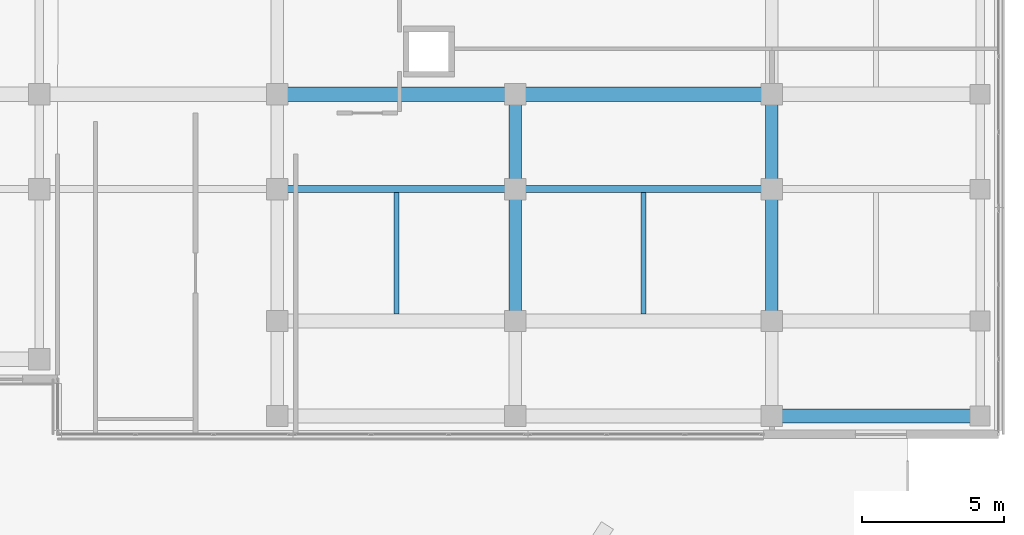
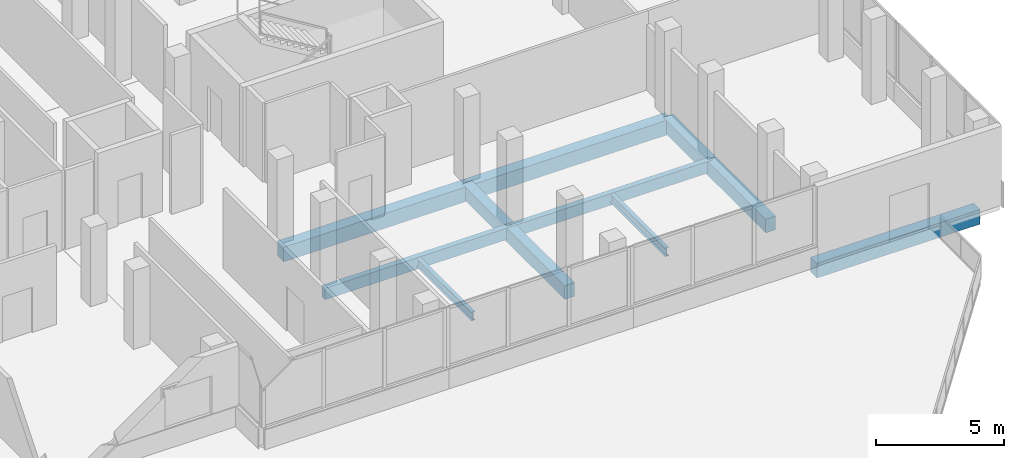
# One storey, part 60 of 101: 11 beams.
"""IFC4 building model written with IfcOpenShell, lengths in metres."""

from ifc_helpers import new_model, si_unit, direction, frame, origin, origin_2d, place, context, subcontext, project, spatial, rectangle, i_section, extrude, material, material_profile, profile_set, type_object, element, save


model = new_model("IFC4")

# Units and contexts
model_context = context("Model", 3, precision=1e-05, world=origin(), true_north=direction((0.0, 1.0)))
body_context = subcontext(model_context, "Body", "Model", "MODEL_VIEW")
ifc_project = project(units=[si_unit("LENGTHUNIT", "METRE"), si_unit("AREAUNIT", "SQUARE_METRE"), si_unit("VOLUMEUNIT", "CUBIC_METRE"), si_unit("PLANEANGLEUNIT", "RADIAN"), si_unit("MASSUNIT", "GRAM", prefix="KILO")], contexts=[model_context])

# Site, building, storey
site_placement = place(None, origin())
site = spatial("IfcSite", under=ifc_project, at=site_placement, CompositionType="ELEMENT")
building_placement = place(site_placement, origin())
building = spatial("IfcBuilding", under=site, at=building_placement, Name="Selatvlak General Hospital", CompositionType="ELEMENT")
storey_placement = place(building_placement, frame((0.0, 0.0, 19.199951171875)))
storey = spatial("IfcBuildingStorey", under=building, at=storey_placement, Name="L04", CompositionType="ELEMENT", Elevation=19.199951171875)

# Beams
ifc_material_1 = material(Name="Concrete C40/50", Category="concrete")
ifc_material_profile_1 = material_profile(ifc_material_1, rectangle(XDim=0.5, YDim=0.699951171875, at=origin_2d()), Name="RC-BM 500x700")
ifc_profile_set_1 = profile_set([ifc_material_profile_1], Name="Concrete C40/50")
beam_type_1 = type_object("IfcBeamType", Name="BM-G03", PredefinedType="BEAM", material=ifc_profile_set_1)
beam_1_placement = place(storey_placement, frame((174.0, 64.64990234375, -0.655029296875), z_axis=(1.0, 0.0, 0.0), x_axis=(0.0, 1.0, 0.0)))
element("IfcBeam", 1, at=beam_1_placement, inside=storey, type_object=beam_type_1, Name="Beam BMR-L04-1508", PredefinedType="BEAM", context=body_context, shape_type="SweptSolid", body=[
    extrude(rectangle(XDim=0.5, YDim=0.699951171875, at=origin_2d()), origin(), (0.0, 0.0, 1.0), 7.35009765625),
])
beam_2_placement = place(storey_placement, frame((156.550048828125, 76.0, -0.655029296875), z_axis=(1.0, 0.0, 0.0), x_axis=(0.0, 1.0, 0.0)))
element("IfcBeam", 2, at=beam_2_placement, inside=storey, type_object=beam_type_1, Name="Beam BMR-L04-1529", PredefinedType="BEAM", context=body_context, shape_type="SweptSolid", body=[
    extrude(rectangle(XDim=0.5, YDim=0.699951171875, at=origin_2d()), origin(), (0.0, 0.0, 1.0), 8.39990234375),
])
beam_3_placement = place(storey_placement, frame((164.949951171875, 76.0, -0.655029296875), z_axis=(1.0, 0.0, 0.0), x_axis=(0.0, 1.0, 0.0)))
element("IfcBeam", 3, at=beam_3_placement, inside=storey, type_object=beam_type_1, Name="Beam BMR-L04-1530", PredefinedType="BEAM", context=body_context, shape_type="SweptSolid", body=[
    extrude(rectangle(XDim=0.5, YDim=0.699951171875, at=origin_2d()), origin(), (0.0, 0.0, 1.0), 9.050048828125),
])
ifc_material_profile_2 = material_profile(ifc_material_1, rectangle(XDim=0.449951171875, YDim=0.64990234375, at=origin_2d()), Name="RC-BM 450x650")
ifc_profile_set_2 = profile_set([ifc_material_profile_2], Name="Concrete C40/50")
beam_type_2 = type_object("IfcBeamType", Name="BM-G04", PredefinedType="BEAM", material=ifc_profile_set_2)
beam_4_placement = place(storey_placement, frame((164.949951171875, 68.0, -0.6298828125), z_axis=(0.0, 1.0, 0.0), x_axis=(-1.0, 0.0, 0.0)))
element("IfcBeam", 4, at=beam_4_placement, inside=storey, type_object=beam_type_2, Name="Beam BMR-L04-1750", PredefinedType="BEAM", context=body_context, shape_type="SweptSolid", body=[
    extrude(rectangle(XDim=0.449951171875, YDim=0.64990234375, at=origin_2d()), origin(), (0.0, 0.0, 1.0), 4.64990234375),
])
beam_5_placement = place(storey_placement, frame((164.949951171875, 72.64990234375, -0.6298828125), z_axis=(0.0, 1.0, 0.0), x_axis=(-1.0, 0.0, 0.0)))
element("IfcBeam", 5, at=beam_5_placement, inside=storey, type_object=beam_type_2, Name="Beam BMR-L04-1751", PredefinedType="BEAM", context=body_context, shape_type="SweptSolid", body=[
    extrude(rectangle(XDim=0.449951171875, YDim=0.64990234375, at=origin_2d()), origin(), (0.0, 0.0, 1.0), 3.35009765625),
])
beam_6_placement = place(storey_placement, frame((174.0, 68.0, -0.6298828125), z_axis=(0.0, 1.0, 0.0), x_axis=(-1.0, 0.0, 0.0)))
element("IfcBeam", 6, at=beam_6_placement, inside=storey, type_object=beam_type_2, Name="Beam BMR-L04-1757", PredefinedType="BEAM", context=body_context, shape_type="SweptSolid", body=[
    extrude(rectangle(XDim=0.449951171875, YDim=0.64990234375, at=origin_2d()), origin(), (0.0, 0.0, 1.0), 4.64990234375),
])
beam_7_placement = place(storey_placement, frame((174.0, 72.64990234375, -0.6298828125), z_axis=(0.0, 1.0, 0.0), x_axis=(-1.0, 0.0, 0.0)))
element("IfcBeam", 7, at=beam_7_placement, inside=storey, type_object=beam_type_2, Name="Beam BMR-L04-1758", PredefinedType="BEAM", context=body_context, shape_type="SweptSolid", body=[
    extrude(rectangle(XDim=0.449951171875, YDim=0.64990234375, at=origin_2d()), origin(), (0.0, 0.0, 1.0), 3.35009765625),
])
ifc_material_2 = material(Name="Steel S355", Category="steel")
ifc_material_profile_3 = material_profile(ifc_material_2, i_section(OverallWidth=0.177978515625, OverallDepth=0.406494140625, WebThickness=0.0078125, FlangeThickness=0.0126953125, at=origin_2d()), Name="UB 406x178x60")
ifc_profile_set_3 = profile_set([ifc_material_profile_3], Name="Steel S355")
beam_type_3 = type_object("IfcBeamType", Name="BM-J04", PredefinedType="JOIST", material=ifc_profile_set_3)
for number, where, z_axis, x_axis, name in (
    (8, (160.75, 68.25, -0.508056640625), (0.0, 1.0, 0.0), (-1.0, 0.0, 0.0), "Beam BMR-L04-1776"),
    (9, (169.47509765625, 68.25, -0.508056640625), (0.0, 1.0, 0.0), (-1.0, 0.0, 0.0), "Beam BMR-L04-1777"),
):
    element("IfcBeam", number, at=place(storey_placement, frame(where, z_axis=z_axis, x_axis=x_axis)), inside=storey, type_object=beam_type_3, Name=name, PredefinedType="JOIST", context=body_context, shape_type="SweptSolid", body=[
        extrude(i_section(OverallWidth=0.177978515625, OverallDepth=0.406494140625, WebThickness=0.0078125, FlangeThickness=0.0126953125, at=origin_2d()), origin(), (0.0, 0.0, 1.0), 4.27490234375),
    ])
ifc_material_profile_4 = material_profile(ifc_material_1, rectangle(XDim=0.25, YDim=0.550048828125, at=origin_2d()), Name="RC-SP 250x550")
ifc_profile_set_4 = profile_set([ifc_material_profile_4], Name="Concrete C40/50")
beam_type_4 = type_object("IfcBeamType", Name="BM-SP2", PredefinedType="SPANDREL", material=ifc_profile_set_4)
beam_8_placement = place(storey_placement, frame((156.550048828125, 72.64990234375, -0.579833984375), z_axis=(1.0, 0.0, 0.0), x_axis=(0.0, 1.0, 0.0)))
element("IfcBeam", 10, at=beam_8_placement, inside=storey, type_object=beam_type_4, Name="Beam BMR-L04-1521", PredefinedType="SPANDREL", context=body_context, shape_type="SweptSolid", body=[
    extrude(rectangle(XDim=0.25, YDim=0.550048828125, at=origin_2d()), origin(), (0.0, 0.0, 1.0), 8.39990234375),
])
beam_9_placement = place(storey_placement, frame((164.949951171875, 72.64990234375, -0.579833984375), z_axis=(1.0, 0.0, 0.0), x_axis=(0.0, 1.0, 0.0)))
element("IfcBeam", 11, at=beam_9_placement, inside=storey, type_object=beam_type_4, Name="Beam BMR-L04-1522", PredefinedType="SPANDREL", context=body_context, shape_type="SweptSolid", body=[
    extrude(rectangle(XDim=0.25, YDim=0.550048828125, at=origin_2d()), origin(), (0.0, 0.0, 1.0), 9.050048828125),
])

save(model, "model.ifc")
